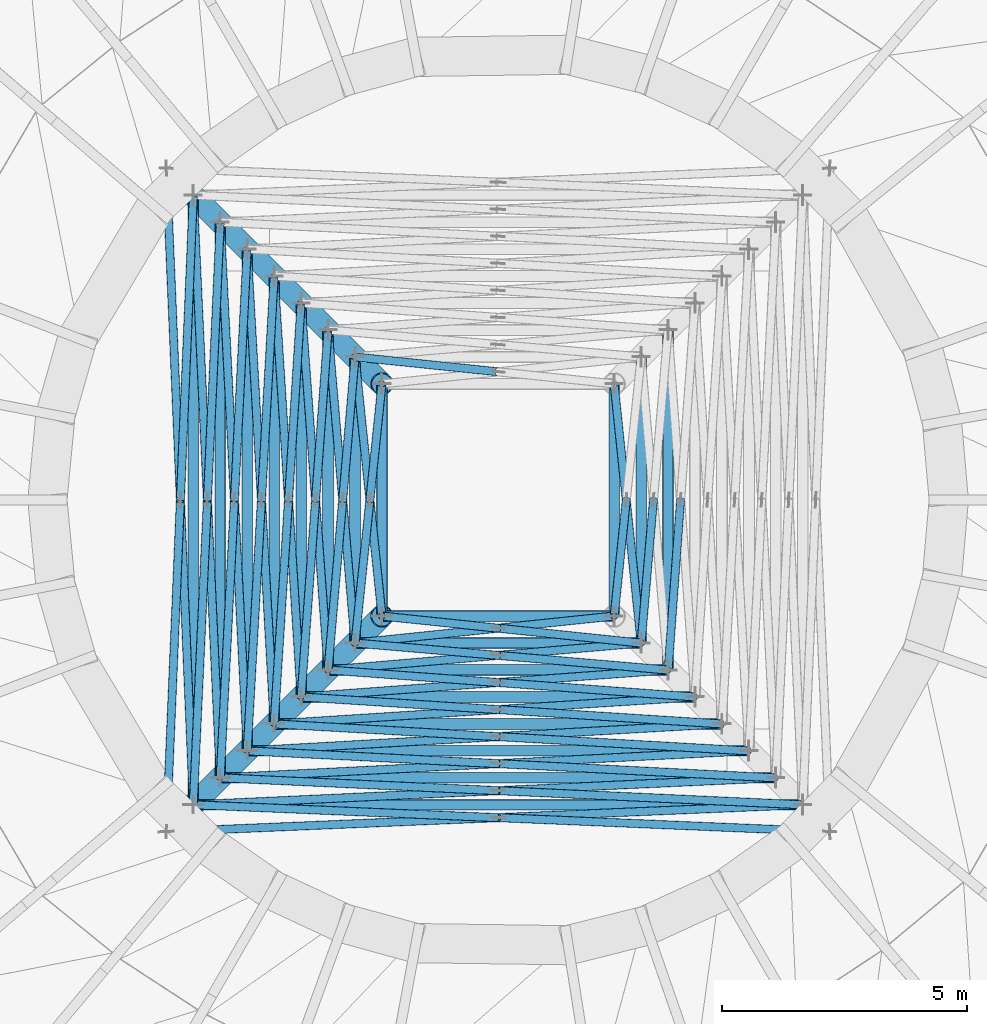
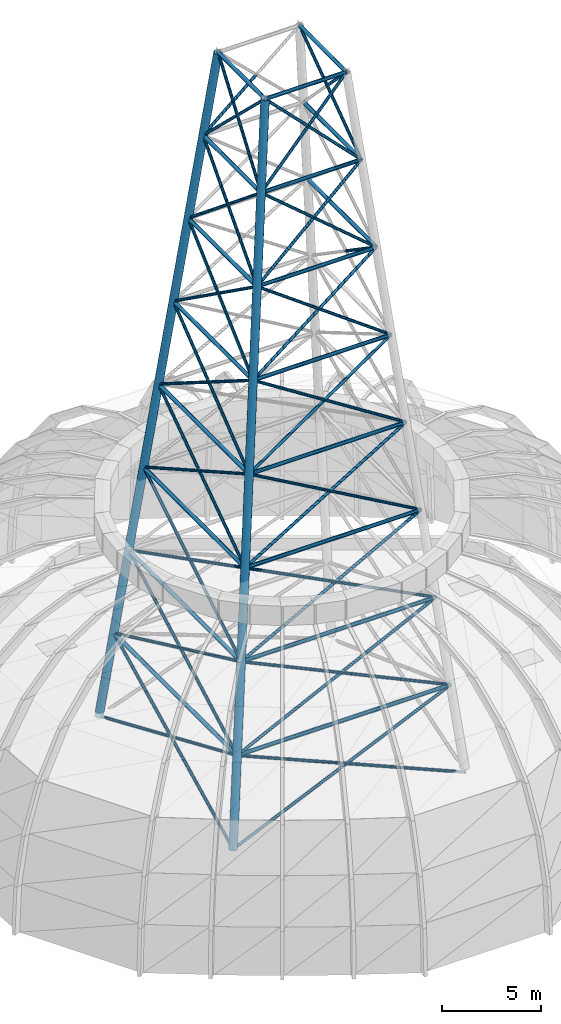
# One storey, part 1 of 27: 74 members.
"""IFC4 building model written with IfcOpenShell, lengths in metres."""

from ifc_helpers import new_model, si_unit, direction, frame, origin, origin_2d, place, context, subcontext, project, spatial, hollow_circle, extrude, material, material_profile, profile_set, type_object, element, save


model = new_model("IFC4")

# Units and contexts
model_context = context("Model", 3, precision=1e-05, world=origin(), true_north=direction((0.0, 1.0)))
body_context = subcontext(model_context, "Body", "Model", "MODEL_VIEW")
ifc_project = project(units=[si_unit("LENGTHUNIT", "METRE"), si_unit("AREAUNIT", "SQUARE_METRE"), si_unit("VOLUMEUNIT", "CUBIC_METRE"), si_unit("PLANEANGLEUNIT", "RADIAN"), si_unit("MASSUNIT", "GRAM", prefix="KILO")], contexts=[model_context])

# Site, building, storey
site_placement = place(None, origin())
site = spatial("IfcSite", under=ifc_project, at=site_placement, CompositionType="ELEMENT")
building_placement = place(site_placement, origin())
building = spatial("IfcBuilding", under=site, at=building_placement, Name="Ayvan Gate Tower", CompositionType="ELEMENT")
storey_placement = place(building_placement, frame((0.0, 0.0, 267.699951171875)))
storey = spatial("IfcBuildingStorey", under=building, at=storey_placement, Name="Roof", CompositionType="ELEMENT", Elevation=267.699951171875)

# Members
ifc_material = material(Name="Steel S460NH", Category="steel")
ifc_material_profile_1 = material_profile(ifc_material, hollow_circle(Radius=0.084228515625, WallThickness=0.008056640625, at=origin_2d()), Name="CHS 168.3x8")
ifc_profile_set_1 = profile_set([ifc_material_profile_1], Name="Steel S460NH")
member_type_1 = type_object("IfcMemberType", Name="Lattice mast brace CHS 168.3x8", PredefinedType="BRACE", material=ifc_profile_set_1)
member_1_placement = place(storey_placement, frame((-6.771484375, 6.771484375, 0.0), z_axis=(0.039239136673, -0.926454470034, 0.37435598714), x_axis=(0.999104270436, 0.04231615291, 0.0)))
element("IfcMember", 1, at=member_1_placement, inside=storey, type_object=member_type_1, Name="MAST-BRACE-1-2A", PredefinedType="BRACE", context=body_context, shape_type="SweptSolid", body=[
    extrude(hollow_circle(Radius=0.084228515625, WallThickness=0.008056640625, at=origin_2d()), origin(), (0.0, 0.0, 1.0), 14.024169921875),
])
member_2_placement = place(storey_placement, frame((-6.771484375, -6.771484375, 0.0), z_axis=(0.039224711647, 0.926453522401, 0.374359844036), x_axis=(-0.999104926175, 0.042300667747, 0.0)))
element("IfcMember", 2, at=member_2_placement, inside=storey, type_object=member_type_1, Name="MAST-BRACE-1-2B", PredefinedType="BRACE", context=body_context, shape_type="SweptSolid", body=[
    extrude(hollow_circle(Radius=0.084228515625, WallThickness=0.008056640625, at=origin_2d()), origin(), (0.0, 0.0, 1.0), 7.28857421875),
])
member_3_placement = place(storey_placement, frame((-6.48388671875, 0.01904296875, 2.743896484375), z_axis=(0.039240521048, 0.926455573145, 0.374353112043), x_axis=(-0.999104209446, 0.042317592874, 0.0)))
element("IfcMember", 3, at=member_3_placement, inside=storey, type_object=member_type_1, Name="MAST-BRACE-1-2C", PredefinedType="BRACE", context=body_context, shape_type="SweptSolid", body=[
    extrude(hollow_circle(Radius=0.084228515625, WallThickness=0.008056640625, at=origin_2d()), origin(), (0.0, 0.0, 1.0), 6.694580078125),
])
member_4_placement = place(storey_placement, frame((-6.771484375, -6.771484375, 0.0), z_axis=(0.926454470034, 0.039239136673, 0.37435598714), x_axis=(-0.04231615291, 0.999104270436, 0.0)))
element("IfcMember", 4, at=member_4_placement, inside=storey, type_object=member_type_1, Name="MAST-BRACE-1-3A", PredefinedType="BRACE", context=body_context, shape_type="SweptSolid", body=[
    extrude(hollow_circle(Radius=0.084228515625, WallThickness=0.008056640625, at=origin_2d()), origin(), (0.0, 0.0, 1.0), 14.024169921875),
])
member_5_placement = place(storey_placement, frame((6.771484375, -6.771484375, 0.0), z_axis=(-0.926453522401, 0.039224711647, 0.374359844036), x_axis=(-0.042300667747, -0.999104926175, 0.0)))
element("IfcMember", 5, at=member_5_placement, inside=storey, type_object=member_type_1, Name="MAST-BRACE-1-3B", PredefinedType="BRACE", context=body_context, shape_type="SweptSolid", body=[
    extrude(hollow_circle(Radius=0.084228515625, WallThickness=0.008056640625, at=origin_2d()), origin(), (0.0, 0.0, 1.0), 7.28857421875),
])
member_6_placement = place(storey_placement, frame((-0.01904296875, -6.48388671875, 2.743896484375), z_axis=(-0.926455573145, 0.039240521048, 0.374353112043), x_axis=(-0.042317592874, -0.999104209446, 0.0)))
element("IfcMember", 6, at=member_6_placement, inside=storey, type_object=member_type_1, Name="MAST-BRACE-1-3C", PredefinedType="BRACE", context=body_context, shape_type="SweptSolid", body=[
    extrude(hollow_circle(Radius=0.084228515625, WallThickness=0.008056640625, at=origin_2d()), origin(), (0.0, 0.0, 1.0), 6.694580078125),
])
member_7_placement = place(storey_placement, frame((-6.22119140625, 6.22119140625, 5.25), z_axis=(0.042274859962, -0.914003863114, 0.403496932365), x_axis=(0.998932071516, 0.046202992284, 0.0)))
element("IfcMember", 7, at=member_7_placement, inside=storey, type_object=member_type_1, Name="MAST-BRACE-2-2A", PredefinedType="BRACE", context=body_context, shape_type="SweptSolid", body=[
    extrude(hollow_circle(Radius=0.084228515625, WallThickness=0.008056640625, at=origin_2d()), origin(), (0.0, 0.0, 1.0), 13.01123046875),
])
member_8_placement = place(storey_placement, frame((-6.22119140625, -6.22119140625, 5.25), z_axis=(0.042264573902, 0.914007349896, 0.403490111563), x_axis=(-0.998932598436, 0.046191598607, 0.0)))
element("IfcMember", 8, at=member_8_placement, inside=storey, type_object=member_type_1, Name="MAST-BRACE-2-2B", PredefinedType="BRACE", context=body_context, shape_type="SweptSolid", body=[
    extrude(hollow_circle(Radius=0.084228515625, WallThickness=0.008056640625, at=origin_2d()), origin(), (0.0, 0.0, 1.0), 6.793212890625),
])
member_9_placement = place(storey_placement, frame((-5.932861328125, 0.01220703125, 8.001953125), z_axis=(0.042271968774, 0.914013026326, 0.403476478078), x_axis=(-0.998932238724, 0.046199377019, 0.0)))
element("IfcMember", 9, at=member_9_placement, inside=storey, type_object=member_type_1, Name="MAST-BRACE-2-2C", PredefinedType="BRACE", context=body_context, shape_type="SweptSolid", body=[
    extrude(hollow_circle(Radius=0.084228515625, WallThickness=0.008056640625, at=origin_2d()), origin(), (0.0, 0.0, 1.0), 6.19140625),
])
member_10_placement = place(storey_placement, frame((-6.22119140625, -6.22119140625, 5.25), z_axis=(0.914003863114, 0.042274859962, 0.403496932365), x_axis=(-0.046202992284, 0.998932071516, 0.0)))
element("IfcMember", 10, at=member_10_placement, inside=storey, type_object=member_type_1, Name="MAST-BRACE-2-3A", PredefinedType="BRACE", context=body_context, shape_type="SweptSolid", body=[
    extrude(hollow_circle(Radius=0.084228515625, WallThickness=0.008056640625, at=origin_2d()), origin(), (0.0, 0.0, 1.0), 13.01123046875),
])
member_11_placement = place(storey_placement, frame((6.22119140625, -6.22119140625, 5.25), z_axis=(-0.914007349896, 0.042264573902, 0.403490111563), x_axis=(-0.046191598607, -0.998932598436, 0.0)))
element("IfcMember", 11, at=member_11_placement, inside=storey, type_object=member_type_1, Name="MAST-BRACE-2-3B", PredefinedType="BRACE", context=body_context, shape_type="SweptSolid", body=[
    extrude(hollow_circle(Radius=0.084228515625, WallThickness=0.008056640625, at=origin_2d()), origin(), (0.0, 0.0, 1.0), 6.793212890625),
])
member_12_placement = place(storey_placement, frame((-0.01220703125, -5.932861328125, 8.001953125), z_axis=(-0.914013026326, 0.042271968774, 0.403476478078), x_axis=(-0.046199377019, -0.998932238724, 0.0)))
element("IfcMember", 12, at=member_12_placement, inside=storey, type_object=member_type_1, Name="MAST-BRACE-2-3C", PredefinedType="BRACE", context=body_context, shape_type="SweptSolid", body=[
    extrude(hollow_circle(Radius=0.084228515625, WallThickness=0.008056640625, at=origin_2d()), origin(), (0.0, 0.0, 1.0), 6.19140625),
])
member_13_placement = place(storey_placement, frame((-5.671142578125, 5.671142578125, 10.5), z_axis=(0.045804908554, -0.898296440877, 0.436995897761), x_axis=(0.998702495722, 0.050924699696, 0.0)))
element("IfcMember", 13, at=member_13_placement, inside=storey, type_object=member_type_1, Name="MAST-BRACE-3-2A", PredefinedType="BRACE", context=body_context, shape_type="SweptSolid", body=[
    extrude(hollow_circle(Radius=0.084228515625, WallThickness=0.008056640625, at=origin_2d()), origin(), (0.0, 0.0, 1.0), 12.013916015625),
])
member_14_placement = place(storey_placement, frame((-5.671142578125, -5.671142578125, 10.5), z_axis=(0.04579519794, 0.898290421127, 0.437009289554), x_axis=(-0.998703027385, 0.050914271984, 0.0)))
element("IfcMember", 14, at=member_14_placement, inside=storey, type_object=member_type_1, Name="MAST-BRACE-3-2B", PredefinedType="BRACE", context=body_context, shape_type="SweptSolid", body=[
    extrude(hollow_circle(Radius=0.084228515625, WallThickness=0.008056640625, at=origin_2d()), origin(), (0.0, 0.0, 1.0), 6.306640625),
])
member_15_placement = place(storey_placement, frame((-5.381591796875, 0.005859375, 13.26171875), z_axis=(0.045791726276, 0.898298180913, 0.436993702442), x_axis=(-0.998703245999, 0.050909983615, 0.0)))
element("IfcMember", 15, at=member_15_placement, inside=storey, type_object=member_type_1, Name="MAST-BRACE-3-2C", PredefinedType="BRACE", context=body_context, shape_type="SweptSolid", body=[
    extrude(hollow_circle(Radius=0.084228515625, WallThickness=0.008056640625, at=origin_2d()), origin(), (0.0, 0.0, 1.0), 5.694091796875),
])
member_16_placement = place(storey_placement, frame((-5.671142578125, -5.671142578125, 10.5), z_axis=(0.898296440877, 0.045804908554, 0.436995897761), x_axis=(-0.050924699696, 0.998702495722, 0.0)))
element("IfcMember", 16, at=member_16_placement, inside=storey, type_object=member_type_1, Name="MAST-BRACE-3-3A", PredefinedType="BRACE", context=body_context, shape_type="SweptSolid", body=[
    extrude(hollow_circle(Radius=0.084228515625, WallThickness=0.008056640625, at=origin_2d()), origin(), (0.0, 0.0, 1.0), 12.013916015625),
])
member_17_placement = place(storey_placement, frame((5.671142578125, -5.671142578125, 10.5), z_axis=(-0.898290421127, 0.04579519794, 0.437009289554), x_axis=(-0.050914271984, -0.998703027385, 0.0)))
element("IfcMember", 17, at=member_17_placement, inside=storey, type_object=member_type_1, Name="MAST-BRACE-3-3B", PredefinedType="BRACE", context=body_context, shape_type="SweptSolid", body=[
    extrude(hollow_circle(Radius=0.084228515625, WallThickness=0.008056640625, at=origin_2d()), origin(), (0.0, 0.0, 1.0), 6.306640625),
])
member_18_placement = place(storey_placement, frame((-0.005859375, -5.381591796875, 13.26171875), z_axis=(-0.898298180913, 0.045791726276, 0.436993702442), x_axis=(-0.050909983615, -0.998703245999, 0.0)))
element("IfcMember", 18, at=member_18_placement, inside=storey, type_object=member_type_1, Name="MAST-BRACE-3-3C", PredefinedType="BRACE", context=body_context, shape_type="SweptSolid", body=[
    extrude(hollow_circle(Radius=0.084228515625, WallThickness=0.008056640625, at=origin_2d()), origin(), (0.0, 0.0, 1.0), 5.694091796875),
])
member_19_placement = place(storey_placement, frame((-5.120849609375, 5.120849609375, 15.75), z_axis=(0.049841353581, -0.878185624988, 0.475716141767), x_axis=(0.998393320055, 0.056663731518, 0.0)))
element("IfcMember", 19, at=member_19_placement, inside=storey, type_object=member_type_1, Name="MAST-BRACE-4-2A", PredefinedType="BRACE", context=body_context, shape_type="SweptSolid", body=[
    extrude(hollow_circle(Radius=0.084228515625, WallThickness=0.008056640625, at=origin_2d()), origin(), (0.0, 0.0, 1.0), 11.035888671875),
])
member_20_placement = place(storey_placement, frame((-5.120849609375, -5.120849609375, 15.75), z_axis=(0.049825269653, 0.878180845126, 0.475726650249), x_axis=(-0.998394336914, 0.056645812002, 0.0)))
element("IfcMember", 20, at=member_20_placement, inside=storey, type_object=member_type_1, Name="MAST-BRACE-4-2B", PredefinedType="BRACE", context=body_context, shape_type="SweptSolid", body=[
    extrude(hollow_circle(Radius=0.084228515625, WallThickness=0.008056640625, at=origin_2d()), origin(), (0.0, 0.0, 1.0), 5.830810546875),
])
member_21_placement = place(storey_placement, frame((-4.830322265625, 0.000244140625, 18.524169921875), z_axis=(0.049864591963, 0.87818911207, 0.475707269137), x_axis=(-0.99839183784, 0.056689841548, 0.0)))
element("IfcMember", 21, at=member_21_placement, inside=storey, type_object=member_type_1, Name="MAST-BRACE-4-2C", PredefinedType="BRACE", context=body_context, shape_type="SweptSolid", body=[
    extrude(hollow_circle(Radius=0.084228515625, WallThickness=0.008056640625, at=origin_2d()), origin(), (0.0, 0.0, 1.0), 5.20458984375),
])
member_22_placement = place(storey_placement, frame((-5.120849609375, -5.120849609375, 15.75), z_axis=(0.878185624988, 0.049841353581, 0.475716141767), x_axis=(-0.056663731518, 0.998393320055, 0.0)))
element("IfcMember", 22, at=member_22_placement, inside=storey, type_object=member_type_1, Name="MAST-BRACE-4-3A", PredefinedType="BRACE", context=body_context, shape_type="SweptSolid", body=[
    extrude(hollow_circle(Radius=0.084228515625, WallThickness=0.008056640625, at=origin_2d()), origin(), (0.0, 0.0, 1.0), 11.035888671875),
])
member_23_placement = place(storey_placement, frame((5.120849609375, -5.120849609375, 15.75), z_axis=(-0.878180845126, 0.049825269653, 0.475726650249), x_axis=(-0.056645812002, -0.998394336914, 0.0)))
element("IfcMember", 23, at=member_23_placement, inside=storey, type_object=member_type_1, Name="MAST-BRACE-4-3B", PredefinedType="BRACE", context=body_context, shape_type="SweptSolid", body=[
    extrude(hollow_circle(Radius=0.084228515625, WallThickness=0.008056640625, at=origin_2d()), origin(), (0.0, 0.0, 1.0), 5.830810546875),
])
member_24_placement = place(storey_placement, frame((-0.000244140625, -4.830322265625, 18.524169921875), z_axis=(-0.87818911207, 0.049864591963, 0.475707269137), x_axis=(-0.056689841548, -0.99839183784, 0.0)))
element("IfcMember", 24, at=member_24_placement, inside=storey, type_object=member_type_1, Name="MAST-BRACE-4-3C", PredefinedType="BRACE", context=body_context, shape_type="SweptSolid", body=[
    extrude(hollow_circle(Radius=0.084228515625, WallThickness=0.008056640625, at=origin_2d()), origin(), (0.0, 0.0, 1.0), 5.20458984375),
])
member_25_placement = place(storey_placement, frame((-4.57080078125, 4.57080078125, 21.0), z_axis=(0.054573893483, -0.85202099009, 0.520655281924), x_axis=(0.997954942766, 0.063921296988, 0.0)))
element("IfcMember", 25, at=member_25_placement, inside=storey, type_object=member_type_1, Name="MAST-BRACE-5-2A", PredefinedType="BRACE", context=body_context, shape_type="SweptSolid", body=[
    extrude(hollow_circle(Radius=0.084228515625, WallThickness=0.008056640625, at=origin_2d()), origin(), (0.0, 0.0, 1.0), 10.08349609375),
])
member_26_placement = place(storey_placement, frame((-4.57080078125, -4.57080078125, 21.0), z_axis=(0.05456501134, 0.852015131193, 0.520665800448), x_axis=(-0.997955578326, 0.0639113737, 0.0)))
element("IfcMember", 26, at=member_26_placement, inside=storey, type_object=member_type_1, Name="MAST-BRACE-5-2B", PredefinedType="BRACE", context=body_context, shape_type="SweptSolid", body=[
    extrude(hollow_circle(Radius=0.084228515625, WallThickness=0.008056640625, at=origin_2d()), origin(), (0.0, 0.0, 1.0), 5.36474609375),
])
member_27_placement = place(storey_placement, frame((-4.278076171875, 0.0, 23.793212890625), z_axis=(0.054583991472, 0.85202765077, 0.520643323397), x_axis=(-0.997954220098, 0.063932578468, 0.0)))
element("IfcMember", 27, at=member_27_placement, inside=storey, type_object=member_type_1, Name="MAST-BRACE-5-2C", PredefinedType="BRACE", context=body_context, shape_type="SweptSolid", body=[
    extrude(hollow_circle(Radius=0.084228515625, WallThickness=0.008056640625, at=origin_2d()), origin(), (0.0, 0.0, 1.0), 4.71875),
])
member_28_placement = place(storey_placement, frame((-4.57080078125, -4.57080078125, 21.0), z_axis=(0.85202099009, 0.054573893483, 0.520655281924), x_axis=(-0.063921296988, 0.997954942766, 0.0)))
element("IfcMember", 28, at=member_28_placement, inside=storey, type_object=member_type_1, Name="MAST-BRACE-5-3A", PredefinedType="BRACE", context=body_context, shape_type="SweptSolid", body=[
    extrude(hollow_circle(Radius=0.084228515625, WallThickness=0.008056640625, at=origin_2d()), origin(), (0.0, 0.0, 1.0), 10.08349609375),
])
member_29_placement = place(storey_placement, frame((4.57080078125, -4.57080078125, 21.0), z_axis=(-0.852015131193, 0.05456501134, 0.520665800448), x_axis=(-0.0639113737, -0.997955578326, 0.0)))
element("IfcMember", 29, at=member_29_placement, inside=storey, type_object=member_type_1, Name="MAST-BRACE-5-3B", PredefinedType="BRACE", context=body_context, shape_type="SweptSolid", body=[
    extrude(hollow_circle(Radius=0.084228515625, WallThickness=0.008056640625, at=origin_2d()), origin(), (0.0, 0.0, 1.0), 5.36474609375),
])
member_30_placement = place(storey_placement, frame((0.0, -4.278076171875, 23.793212890625), z_axis=(-0.85202765077, 0.054583991472, 0.520643323397), x_axis=(-0.063932578468, -0.997954220098, 0.0)))
element("IfcMember", 30, at=member_30_placement, inside=storey, type_object=member_type_1, Name="MAST-BRACE-5-3C", PredefinedType="BRACE", context=body_context, shape_type="SweptSolid", body=[
    extrude(hollow_circle(Radius=0.084228515625, WallThickness=0.008056640625, at=origin_2d()), origin(), (0.0, 0.0, 1.0), 4.71875),
])
member_31_placement = place(storey_placement, frame((-4.0205078125, 4.0205078125, 26.25), z_axis=(0.060022522976, -0.817430569233, 0.572891404386), x_axis=(0.997314996356, 0.073231127556, 0.0)))
element("IfcMember", 31, at=member_31_placement, inside=storey, type_object=member_type_1, Name="MAST-BRACE-6-2A", PredefinedType="BRACE", context=body_context, shape_type="SweptSolid", body=[
    extrude(hollow_circle(Radius=0.084228515625, WallThickness=0.008056640625, at=origin_2d()), origin(), (0.0, 0.0, 1.0), 9.1640625),
])
member_32_placement = place(storey_placement, frame((-4.0205078125, -4.0205078125, 26.25), z_axis=(0.060010940637, 0.817419495787, 0.57290841756), x_axis=(-0.997315955894, 0.0732180587, 0.0)))
element("IfcMember", 32, at=member_32_placement, inside=storey, type_object=member_type_1, Name="MAST-BRACE-6-2B", PredefinedType="BRACE", context=body_context, shape_type="SweptSolid", body=[
    extrude(hollow_circle(Radius=0.084228515625, WallThickness=0.008056640625, at=origin_2d()), origin(), (0.0, 0.0, 1.0), 4.91845703125),
])
member_33_placement = place(storey_placement, frame((-3.725341796875, 0.0, 29.06787109375), z_axis=(0.060035941405, 0.817443397576, 0.57287169375), x_axis=(-0.997313884525, 0.073246267706, 0.0)))
element("IfcMember", 33, at=member_33_placement, inside=storey, type_object=member_type_1, Name="MAST-BRACE-6-2C", PredefinedType="BRACE", context=body_context, shape_type="SweptSolid", body=[
    extrude(hollow_circle(Radius=0.084228515625, WallThickness=0.008056640625, at=origin_2d()), origin(), (0.0, 0.0, 1.0), 4.24560546875),
])
member_34_placement = place(storey_placement, frame((-4.0205078125, -4.0205078125, 26.25), z_axis=(0.817430569233, 0.060022522976, 0.572891404386), x_axis=(-0.073231127556, 0.997314996356, 0.0)))
element("IfcMember", 34, at=member_34_placement, inside=storey, type_object=member_type_1, Name="MAST-BRACE-6-3A", PredefinedType="BRACE", context=body_context, shape_type="SweptSolid", body=[
    extrude(hollow_circle(Radius=0.084228515625, WallThickness=0.008056640625, at=origin_2d()), origin(), (0.0, 0.0, 1.0), 9.1640625),
])
member_35_placement = place(storey_placement, frame((4.0205078125, -4.0205078125, 26.25), z_axis=(-0.817419495787, 0.060010940637, 0.57290841756), x_axis=(-0.0732180587, -0.997315955894, 0.0)))
element("IfcMember", 35, at=member_35_placement, inside=storey, type_object=member_type_1, Name="MAST-BRACE-6-3B", PredefinedType="BRACE", context=body_context, shape_type="SweptSolid", body=[
    extrude(hollow_circle(Radius=0.084228515625, WallThickness=0.008056640625, at=origin_2d()), origin(), (0.0, 0.0, 1.0), 4.91845703125),
])
for number, where, z_axis, x_axis, name in (
    (36, (0.0, -3.725341796875, 29.06787109375), (-0.817443397576, 0.060035941405, 0.57287169375), (-0.073246267706, -0.997313884525, 0.0), "MAST-BRACE-6-3C"),
    (37, (3.725341796875, 0.0, 29.06787109375), (-0.060035941405, -0.817443397576, 0.57287169375), (0.997313884525, -0.073246267706, 0.0), "MAST-BRACE-6-4C"),
):
    element("IfcMember", number, at=place(storey_placement, frame(where, z_axis=z_axis, x_axis=x_axis)), inside=storey, type_object=member_type_1, Name=name, PredefinedType="BRACE", context=body_context, shape_type="SweptSolid", body=[
        extrude(hollow_circle(Radius=0.084228515625, WallThickness=0.008056640625, at=origin_2d()), origin(), (0.0, 0.0, 1.0), 4.24560546875),
    ])
member_36_placement = place(storey_placement, frame((-3.470458984375, 3.470458984375, 31.5), z_axis=(0.066389362009, -0.770988438314, 0.633379254948), x_axis=(0.996313075299, 0.08579193428, 0.0)))
element("IfcMember", 38, at=member_36_placement, inside=storey, type_object=member_type_1, Name="MAST-BRACE-7-2A", PredefinedType="BRACE", context=body_context, shape_type="SweptSolid", body=[
    extrude(hollow_circle(Radius=0.084228515625, WallThickness=0.008056640625, at=origin_2d()), origin(), (0.0, 0.0, 1.0), 8.288818359375),
])
member_37_placement = place(storey_placement, frame((-3.470458984375, -3.470458984375, 31.5), z_axis=(0.06638656969, 0.770984549141, 0.633384281736), x_axis=(-0.996313346734, 0.085788782019, 0.0)))
element("IfcMember", 39, at=member_37_placement, inside=storey, type_object=member_type_1, Name="MAST-BRACE-7-2B", PredefinedType="BRACE", context=body_context, shape_type="SweptSolid", body=[
    extrude(hollow_circle(Radius=0.084228515625, WallThickness=0.008056640625, at=origin_2d()), origin(), (0.0, 0.0, 1.0), 4.501220703125),
])
member_38_placement = place(storey_placement, frame((-3.171630859375, 0.0, 34.35107421875), z_axis=(0.066392680562, 0.770993060388, 0.633373280777), x_axis=(-0.996312752702, 0.085795680569, 0.0)))
element("IfcMember", 40, at=member_38_placement, inside=storey, type_object=member_type_1, Name="MAST-BRACE-7-2C", PredefinedType="BRACE", context=body_context, shape_type="SweptSolid", body=[
    extrude(hollow_circle(Radius=0.084228515625, WallThickness=0.008056640625, at=origin_2d()), origin(), (0.0, 0.0, 1.0), 3.78759765625),
])
member_39_placement = place(storey_placement, frame((-3.470458984375, -3.470458984375, 31.5), z_axis=(0.770988438314, 0.066389362009, 0.633379254948), x_axis=(-0.08579193428, 0.996313075299, 0.0)))
element("IfcMember", 41, at=member_39_placement, inside=storey, type_object=member_type_1, Name="MAST-BRACE-7-3A", PredefinedType="BRACE", context=body_context, shape_type="SweptSolid", body=[
    extrude(hollow_circle(Radius=0.084228515625, WallThickness=0.008056640625, at=origin_2d()), origin(), (0.0, 0.0, 1.0), 8.288818359375),
])
member_40_placement = place(storey_placement, frame((3.470458984375, -3.470458984375, 31.5), z_axis=(-0.770984549141, 0.06638656969, 0.633384281736), x_axis=(-0.085788782019, -0.996313346734, 0.0)))
element("IfcMember", 42, at=member_40_placement, inside=storey, type_object=member_type_1, Name="MAST-BRACE-7-3B", PredefinedType="BRACE", context=body_context, shape_type="SweptSolid", body=[
    extrude(hollow_circle(Radius=0.084228515625, WallThickness=0.008056640625, at=origin_2d()), origin(), (0.0, 0.0, 1.0), 4.501220703125),
])
for number, where, z_axis, x_axis, name in (
    (43, (0.0, -3.171630859375, 34.35107421875), (-0.770993060388, 0.066392680562, 0.633373280777), (-0.085795680569, -0.996312752702, 0.0), "MAST-BRACE-7-3C"),
    (44, (3.171630859375, 0.0, 34.35107421875), (-0.066392680562, -0.770993060388, 0.633373280777), (0.996312752702, -0.085795680569, 0.0), "MAST-BRACE-7-4C"),
):
    element("IfcMember", number, at=place(storey_placement, frame(where, z_axis=z_axis, x_axis=x_axis)), inside=storey, type_object=member_type_1, Name=name, PredefinedType="BRACE", context=body_context, shape_type="SweptSolid", body=[
        extrude(hollow_circle(Radius=0.084228515625, WallThickness=0.008056640625, at=origin_2d()), origin(), (0.0, 0.0, 1.0), 3.78759765625),
    ])
member_41_placement = place(storey_placement, frame((-2.920166015625, 2.920166015625, 36.75), z_axis=(0.707875466874, -0.073622362745, 0.702489908185), x_axis=(0.103446696646, 0.994634998858, 0.0)))
element("IfcMember", 45, at=member_41_placement, inside=storey, type_object=member_type_1, Name="MAST-BRACE-8-1B", PredefinedType="BRACE", context=body_context, shape_type="SweptSolid", body=[
    extrude(hollow_circle(Radius=0.084228515625, WallThickness=0.008056640625, at=origin_2d()), origin(), (0.0, 0.0, 1.0), 4.125244140625),
])
member_42_placement = place(storey_placement, frame((-2.920166015625, 2.920166015625, 36.75), z_axis=(0.073600589969, -0.707878909913, 0.702488720235), x_axis=(0.994638197903, 0.103415933355, 0.0)))
element("IfcMember", 46, at=member_42_placement, inside=storey, type_object=member_type_1, Name="MAST-BRACE-8-2A", PredefinedType="BRACE", context=body_context, shape_type="SweptSolid", body=[
    extrude(hollow_circle(Radius=0.084228515625, WallThickness=0.008056640625, at=origin_2d()), origin(), (0.0, 0.0, 1.0), 7.473388671875),
])
member_43_placement = place(storey_placement, frame((-2.920166015625, -2.920166015625, 36.75), z_axis=(0.073622362745, 0.707875466874, 0.702489908185), x_axis=(-0.994634998858, 0.103446696646, 0.0)))
element("IfcMember", 47, at=member_43_placement, inside=storey, type_object=member_type_1, Name="MAST-BRACE-8-2B", PredefinedType="BRACE", context=body_context, shape_type="SweptSolid", body=[
    extrude(hollow_circle(Radius=0.084228515625, WallThickness=0.008056640625, at=origin_2d()), origin(), (0.0, 0.0, 1.0), 4.125244140625),
])
member_44_placement = place(storey_placement, frame((-2.616455078125, 0.0, 39.64794921875), z_axis=(0.073573763899, 0.707883151572, 0.702487256102), x_axis=(-0.994642138092, 0.103378030216, 0.0)))
element("IfcMember", 48, at=member_44_placement, inside=storey, type_object=member_type_1, Name="MAST-BRACE-8-2C", PredefinedType="BRACE", context=body_context, shape_type="SweptSolid", body=[
    extrude(hollow_circle(Radius=0.084228515625, WallThickness=0.008056640625, at=origin_2d()), origin(), (0.0, 0.0, 1.0), 3.34814453125),
])
member_45_placement = place(storey_placement, frame((-2.920166015625, -2.920166015625, 36.75), z_axis=(0.707878909913, 0.073600589969, 0.702488720235), x_axis=(-0.103415933355, 0.994638197903, 0.0)))
element("IfcMember", 49, at=member_45_placement, inside=storey, type_object=member_type_1, Name="MAST-BRACE-8-3A", PredefinedType="BRACE", context=body_context, shape_type="SweptSolid", body=[
    extrude(hollow_circle(Radius=0.084228515625, WallThickness=0.008056640625, at=origin_2d()), origin(), (0.0, 0.0, 1.0), 7.473388671875),
])
member_46_placement = place(storey_placement, frame((2.920166015625, -2.920166015625, 36.75), z_axis=(-0.707875466874, 0.073622362745, 0.702489908185), x_axis=(-0.103446696646, -0.994634998858, 0.0)))
element("IfcMember", 50, at=member_46_placement, inside=storey, type_object=member_type_1, Name="MAST-BRACE-8-3B", PredefinedType="BRACE", context=body_context, shape_type="SweptSolid", body=[
    extrude(hollow_circle(Radius=0.084228515625, WallThickness=0.008056640625, at=origin_2d()), origin(), (0.0, 0.0, 1.0), 4.125244140625),
])
member_47_placement = place(storey_placement, frame((0.0, -2.616455078125, 39.64794921875), z_axis=(-0.707883151572, 0.073573763899, 0.702487256102), x_axis=(-0.103378030216, -0.994642138092, 0.0)))
element("IfcMember", 51, at=member_47_placement, inside=storey, type_object=member_type_1, Name="MAST-BRACE-8-3C", PredefinedType="BRACE", context=body_context, shape_type="SweptSolid", body=[
    extrude(hollow_circle(Radius=0.084228515625, WallThickness=0.008056640625, at=origin_2d()), origin(), (0.0, 0.0, 1.0), 3.34814453125),
])
member_48_placement = place(storey_placement, frame((2.920166015625, -2.920166015625, 36.75), z_axis=(-0.073600589969, 0.707878909913, 0.702488720235), x_axis=(-0.994638197903, -0.103415933355, 0.0)))
element("IfcMember", 52, at=member_48_placement, inside=storey, type_object=member_type_1, Name="MAST-BRACE-8-4A", PredefinedType="BRACE", context=body_context, shape_type="SweptSolid", body=[
    extrude(hollow_circle(Radius=0.084228515625, WallThickness=0.008056640625, at=origin_2d()), origin(), (0.0, 0.0, 1.0), 7.473388671875),
])
member_49_placement = place(storey_placement, frame((2.616455078125, 0.0, 39.64794921875), z_axis=(-0.073573763899, -0.707883151572, 0.702487256102), x_axis=(0.994642138092, -0.103378030216, 0.0)))
element("IfcMember", 53, at=member_49_placement, inside=storey, type_object=member_type_1, Name="MAST-BRACE-8-4C", PredefinedType="BRACE", context=body_context, shape_type="SweptSolid", body=[
    extrude(hollow_circle(Radius=0.084228515625, WallThickness=0.008056640625, at=origin_2d()), origin(), (0.0, 0.0, 1.0), 3.34814453125),
])
ifc_material_profile_2 = material_profile(ifc_material, hollow_circle(Radius=0.228515625, WallThickness=0.02001953125, at=origin_2d()), Name="CHS 457x20")
ifc_profile_set_2 = profile_set([ifc_material_profile_2], Name="Steel S460NH")
member_type_2 = type_object("IfcMemberType", Name="Lattice mast leg CHS 457x20", PredefinedType="POST", material=ifc_profile_set_2)
for number, where, z_axis, x_axis, name in (
    (54, (-6.771484375, 6.771484375, 0.0), (0.103662234018, -0.103662234018, 0.989195775606), (0.707106781187, 0.707106781187, 0.0), "MAST-LEG-2"),
    (55, (-6.771484375, -6.771484375, 0.0), (0.103662234018, 0.103662234018, 0.989195775606), (-0.707106781187, 0.707106781187, 0.0), "MAST-LEG-3"),
):
    element("IfcMember", number, at=place(storey_placement, frame(where, z_axis=z_axis, x_axis=x_axis)), inside=storey, type_object=member_type_2, Name=name, PredefinedType="POST", context=body_context, shape_type="SweptSolid", body=[
        extrude(hollow_circle(Radius=0.228515625, WallThickness=0.02001953125, at=origin_2d()), origin(), (0.0, 0.0, 1.0), 42.458740234375),
    ])
ifc_material_profile_3 = material_profile(ifc_material, hollow_circle(Radius=0.109619140625, WallThickness=0.010009765625, at=origin_2d()), Name="CHS 219.1x10")
ifc_profile_set_3 = profile_set([ifc_material_profile_3], Name="Steel S460NH")
member_type_3 = type_object("IfcMemberType", Name="Lattice mast ring CHS 219.1x10", PredefinedType="STRUT", material=ifc_profile_set_3)
for number, where, z_axis, x_axis, name in (
    (56, (-6.22119140625, 6.22119140625, 5.25), (0.0, -1.0, 0.0), (1.0, 0.0, 0.0), "MAST-RING-1-2"),
    (57, (-6.22119140625, -6.22119140625, 5.25), (1.0, 0.0, 0.0), (0.0, 1.0, 0.0), "MAST-RING-1-3"),
):
    element("IfcMember", number, at=place(storey_placement, frame(where, z_axis=z_axis, x_axis=x_axis)), inside=storey, type_object=member_type_3, Name=name, PredefinedType="STRUT", context=body_context, shape_type="SweptSolid", body=[
        extrude(hollow_circle(Radius=0.109619140625, WallThickness=0.010009765625, at=origin_2d()), origin(), (0.0, 0.0, 1.0), 12.4423828125),
    ])
for number, where, z_axis, x_axis, name in (
    (58, (-5.671142578125, 5.671142578125, 10.5), (0.0, -1.0, 0.0), (1.0, 0.0, 0.0), "MAST-RING-2-2"),
    (59, (-5.671142578125, -5.671142578125, 10.5), (1.0, 0.0, 0.0), (0.0, 1.0, 0.0), "MAST-RING-2-3"),
):
    element("IfcMember", number, at=place(storey_placement, frame(where, z_axis=z_axis, x_axis=x_axis)), inside=storey, type_object=member_type_3, Name=name, PredefinedType="STRUT", context=body_context, shape_type="SweptSolid", body=[
        extrude(hollow_circle(Radius=0.109619140625, WallThickness=0.010009765625, at=origin_2d()), origin(), (0.0, 0.0, 1.0), 11.34228515625),
    ])
for number, where, z_axis, x_axis, name in (
    (60, (-5.120849609375, 5.120849609375, 15.75), (0.0, -1.0, 0.0), (1.0, 0.0, 0.0), "MAST-RING-3-2"),
    (61, (-5.120849609375, -5.120849609375, 15.75), (1.0, 0.0, 0.0), (0.0, 1.0, 0.0), "MAST-RING-3-3"),
):
    element("IfcMember", number, at=place(storey_placement, frame(where, z_axis=z_axis, x_axis=x_axis)), inside=storey, type_object=member_type_3, Name=name, PredefinedType="STRUT", context=body_context, shape_type="SweptSolid", body=[
        extrude(hollow_circle(Radius=0.109619140625, WallThickness=0.010009765625, at=origin_2d()), origin(), (0.0, 0.0, 1.0), 10.24169921875),
    ])
for number, where, z_axis, x_axis, name in (
    (62, (-4.57080078125, 4.57080078125, 21.0), (0.0, -1.0, 0.0), (1.0, 0.0, 0.0), "MAST-RING-4-2"),
    (63, (-4.57080078125, -4.57080078125, 21.0), (1.0, 0.0, 0.0), (0.0, 1.0, 0.0), "MAST-RING-4-3"),
):
    element("IfcMember", number, at=place(storey_placement, frame(where, z_axis=z_axis, x_axis=x_axis)), inside=storey, type_object=member_type_3, Name=name, PredefinedType="STRUT", context=body_context, shape_type="SweptSolid", body=[
        extrude(hollow_circle(Radius=0.109619140625, WallThickness=0.010009765625, at=origin_2d()), origin(), (0.0, 0.0, 1.0), 9.1416015625),
    ])
for number, where, z_axis, x_axis, name in (
    (64, (-4.0205078125, 4.0205078125, 26.25), (0.0, -1.0, 0.0), (1.0, 0.0, 0.0), "MAST-RING-5-2"),
    (65, (-4.0205078125, -4.0205078125, 26.25), (1.0, 0.0, 0.0), (0.0, 1.0, 0.0), "MAST-RING-5-3"),
):
    element("IfcMember", number, at=place(storey_placement, frame(where, z_axis=z_axis, x_axis=x_axis)), inside=storey, type_object=member_type_3, Name=name, PredefinedType="STRUT", context=body_context, shape_type="SweptSolid", body=[
        extrude(hollow_circle(Radius=0.109619140625, WallThickness=0.010009765625, at=origin_2d()), origin(), (0.0, 0.0, 1.0), 8.041015625),
    ])
for number, where, z_axis, x_axis, name in (
    (66, (-3.470458984375, 3.470458984375, 31.5), (0.0, -1.0, 0.0), (1.0, 0.0, 0.0), "MAST-RING-6-2"),
    (67, (-3.470458984375, -3.470458984375, 31.5), (1.0, 0.0, 0.0), (0.0, 1.0, 0.0), "MAST-RING-6-3"),
    (68, (3.470458984375, -3.470458984375, 31.5), (0.0, 1.0, 0.0), (-1.0, 0.0, 0.0), "MAST-RING-6-4"),
):
    element("IfcMember", number, at=place(storey_placement, frame(where, z_axis=z_axis, x_axis=x_axis)), inside=storey, type_object=member_type_3, Name=name, PredefinedType="STRUT", context=body_context, shape_type="SweptSolid", body=[
        extrude(hollow_circle(Radius=0.109619140625, WallThickness=0.010009765625, at=origin_2d()), origin(), (0.0, 0.0, 1.0), 6.94091796875),
    ])
for number, where, z_axis, x_axis, name in (
    (69, (-2.920166015625, 2.920166015625, 36.75), (0.0, -1.0, 0.0), (1.0, 0.0, 0.0), "MAST-RING-7-2"),
    (70, (-2.920166015625, -2.920166015625, 36.75), (1.0, 0.0, 0.0), (0.0, 1.0, 0.0), "MAST-RING-7-3"),
    (71, (2.920166015625, -2.920166015625, 36.75), (0.0, 1.0, 0.0), (-1.0, 0.0, 0.0), "MAST-RING-7-4"),
):
    element("IfcMember", number, at=place(storey_placement, frame(where, z_axis=z_axis, x_axis=x_axis)), inside=storey, type_object=member_type_3, Name=name, PredefinedType="STRUT", context=body_context, shape_type="SweptSolid", body=[
        extrude(hollow_circle(Radius=0.109619140625, WallThickness=0.010009765625, at=origin_2d()), origin(), (0.0, 0.0, 1.0), 5.84033203125),
    ])
for number, where, z_axis, x_axis, name in (
    (72, (-2.3701171875, 2.3701171875, 42.0), (0.0, -1.0, 0.0), (1.0, 0.0, 0.0), "MAST-RING-8-2"),
    (73, (-2.3701171875, -2.3701171875, 42.0), (1.0, 0.0, 0.0), (0.0, 1.0, 0.0), "MAST-RING-8-3"),
    (74, (2.3701171875, -2.3701171875, 42.0), (0.0, 1.0, 0.0), (-1.0, 0.0, 0.0), "MAST-RING-8-4"),
):
    element("IfcMember", number, at=place(storey_placement, frame(where, z_axis=z_axis, x_axis=x_axis)), inside=storey, type_object=member_type_3, Name=name, PredefinedType="STRUT", context=body_context, shape_type="SweptSolid", body=[
        extrude(hollow_circle(Radius=0.109619140625, WallThickness=0.010009765625, at=origin_2d()), origin(), (0.0, 0.0, 1.0), 4.740234375),
    ])

save(model, "model.ifc")
